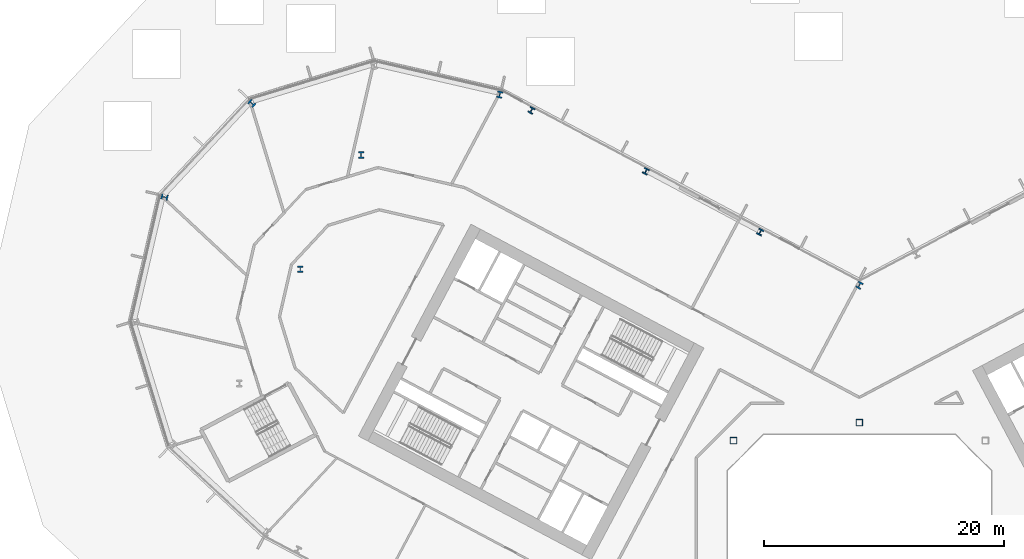
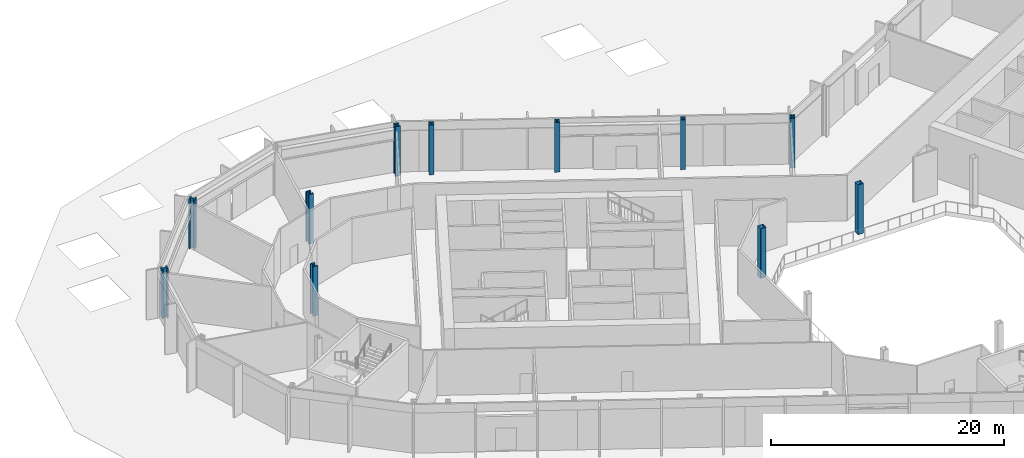
# One storey, part 2 of 30: 11 columns.
"""IFC4 building model written with IfcOpenShell, lengths in metres."""

from ifc_helpers import new_model, si_unit, direction, frame, origin, origin_2d, place, context, subcontext, project, spatial, hollow_rectangle, i_section, extrude, material, material_profile, profile_set, type_object, element, save


model = new_model("IFC4")

# Units and contexts
model_context = context("Model", 3, precision=1e-05, world=origin(), true_north=direction((0.0, 1.0)))
body_context = subcontext(model_context, "Body", "Model", "MODEL_VIEW")
ifc_project = project(units=[si_unit("LENGTHUNIT", "METRE"), si_unit("AREAUNIT", "SQUARE_METRE"), si_unit("VOLUMEUNIT", "CUBIC_METRE"), si_unit("PLANEANGLEUNIT", "RADIAN"), si_unit("MASSUNIT", "GRAM", prefix="KILO")], contexts=[model_context])

# Site, building, storey
site_placement = place(None, origin())
site = spatial("IfcSite", under=ifc_project, at=site_placement, CompositionType="ELEMENT")
building_placement = place(site_placement, origin())
building = spatial("IfcBuilding", under=site, at=building_placement, Name="Cormorant Relay Tower", CompositionType="ELEMENT")
storey_placement = place(building_placement, frame((0.0, 0.0, 7.0)))
storey = spatial("IfcBuildingStorey", under=building, at=storey_placement, Name="L01", CompositionType="ELEMENT", Elevation=7.0)

# Columns
ifc_material_1 = material(Name="Steel ASTM A1085 Grade A (Fy 345 MPa)", Category="steel")
ifc_material_profile_1 = material_profile(ifc_material_1, hollow_rectangle(XDim=0.558837890625, YDim=0.558837890625, WallThickness=0.023681640625, InnerFilletRadius=0.01171875, OuterFilletRadius=0.035400390625, at=origin_2d()), Name="HSS559x559x24")
ifc_profile_set_1 = profile_set([ifc_material_profile_1], Name="Steel ASTM A1085 Grade A (Fy 345 MPa)")
column_type_1 = type_object("IfcColumnType", Name="Column HSS559x559x24", PredefinedType="COLUMN", material=ifc_profile_set_1)
for number, where, z_axis, x_axis, name in (
    (1, (-10.5, 10.5, 0.0), (0.0, 0.0, 1.0), (1.0, 0.0, 0.0), "Column L01-022"),
    (2, (0.0, 12.0, 0.0), (0.0, 0.0, 1.0), (1.0, 0.0, 0.0), "Column L01-024"),
):
    element("IfcColumn", number, at=place(storey_placement, frame(where, z_axis=z_axis, x_axis=x_axis)), inside=storey, type_object=column_type_1, Name=name, PredefinedType="COLUMN", context=body_context, shape_type="SweptSolid", body=[
        extrude(hollow_rectangle(XDim=0.558837890625, YDim=0.558837890625, WallThickness=0.023681640625, InnerFilletRadius=0.01171875, OuterFilletRadius=0.035400390625, at=origin_2d()), origin(), (0.0, 0.0, 1.0), 5.199951171875),
    ])
ifc_material_2 = material(Name="Steel ASTM A992 (Fy 345 MPa)", Category="steel")
ifc_material_profile_2 = material_profile(ifc_material_2, i_section(OverallWidth=0.45458984375, OverallDepth=0.569091796875, WebThickness=0.077880859375, FlangeThickness=0.124755859375, FilletRadius=0.015380859375, at=origin_2d()), Name="W360x1086")
ifc_profile_set_2 = profile_set([ifc_material_profile_2], Name="Steel ASTM A992 (Fy 345 MPa)")
column_type_2 = type_object("IfcColumnType", Name="Column W360x1086", PredefinedType="COLUMN", material=ifc_profile_set_2)
for number, where, z_axis, x_axis, name in (
    (3, (0.0, 23.4541015625, 0.0), (0.0, 0.0, 1.0), (-0.882947592859, 0.469471562786, 0.0), "Column L01-032"),
    (4, (-46.6201171875, 24.7880859375, 0.0), (0.0, 0.0, 1.0), (1.0, 0.0, 0.0), "Column L01-034"),
    (5, (-57.93896484375, 30.806884765625, 0.0), (0.0, 0.0, 1.0), (-0.224951054344, -0.974370064785, 0.0), "Column L01-038"),
    (6, (-41.549072265625, 34.323974609375, 0.0), (0.0, 0.0, 1.0), (1.0, 0.0, 0.0), "Column L01-043"),
    (7, (-50.659912109375, 38.613037109375, 0.0), (0.0, 0.0, 1.0), (-0.681998360062, -0.731353701619, 0.0), "Column L01-047"),
    (8, (-29.992919921875, 39.35009765625, 0.0), (0.0, 0.0, 1.0), (-0.974370064785, 0.224951054344, 0.0), "Column L01-048"),
):
    element("IfcColumn", number, at=place(storey_placement, frame(where, z_axis=z_axis, x_axis=x_axis)), inside=storey, type_object=column_type_2, Name=name, PredefinedType="COLUMN", context=body_context, shape_type="SweptSolid", body=[
        extrude(i_section(OverallWidth=0.45458984375, OverallDepth=0.569091796875, WebThickness=0.077880859375, FlangeThickness=0.124755859375, FilletRadius=0.015380859375, at=origin_2d()), origin(), (0.0, 0.0, 1.0), 5.199951171875),
    ])
ifc_material_3 = material(Name="Steel ASTM A992 (Fy 345 MPa)", Category="steel")
ifc_material_profile_3 = material_profile(ifc_material_3, i_section(OverallWidth=0.43701171875, OverallDepth=0.51318359375, WebThickness=0.060546875, FlangeThickness=0.096923828125, FilletRadius=0.015380859375, at=origin_2d()), Name="W360x818")
ifc_profile_set_3 = profile_set([ifc_material_profile_3], Name="Steel ASTM A992 (Fy 345 MPa)")
column_type_3 = type_object("IfcColumnType", Name="Column W360x818", PredefinedType="COLUMN", material=ifc_profile_set_3)
for number, where, z_axis, x_axis, name in (
    (9, (-8.27490234375, 27.889892578125, 0.0), (0.0, 0.0, 1.0), (-0.882947592859, 0.469471562786, 0.0), "Column L01-036"),
    (10, (-17.81103515625, 32.9599609375, 0.0), (0.0, 0.0, 1.0), (-0.882947592859, 0.469471562786, 0.0), "Column L01-041"),
    (11, (-27.346923828125, 38.030029296875, 0.0), (0.0, 0.0, 1.0), (-0.882947592859, 0.469471562786, 0.0), "Column L01-046"),
):
    element("IfcColumn", number, at=place(storey_placement, frame(where, z_axis=z_axis, x_axis=x_axis)), inside=storey, type_object=column_type_3, Name=name, PredefinedType="COLUMN", context=body_context, shape_type="SweptSolid", body=[
        extrude(i_section(OverallWidth=0.43701171875, OverallDepth=0.51318359375, WebThickness=0.060546875, FlangeThickness=0.096923828125, FilletRadius=0.015380859375, at=origin_2d()), origin(), (0.0, 0.0, 1.0), 5.199951171875),
    ])

save(model, "model.ifc")
